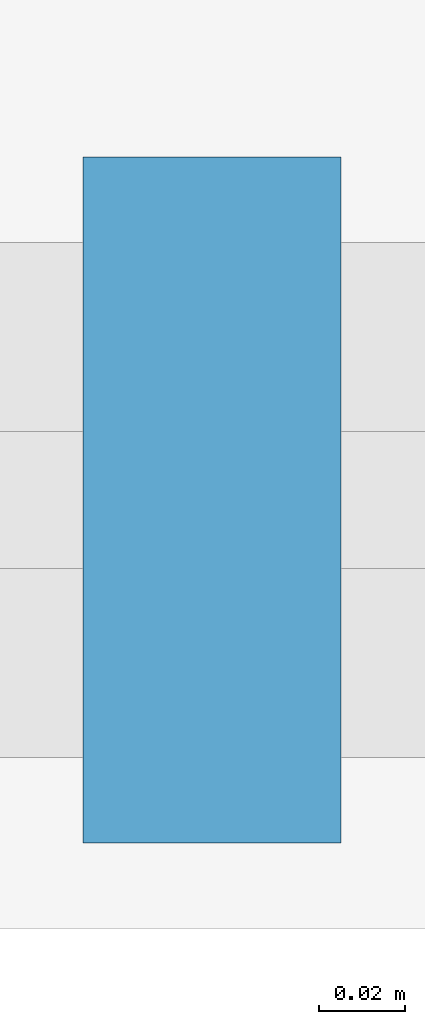
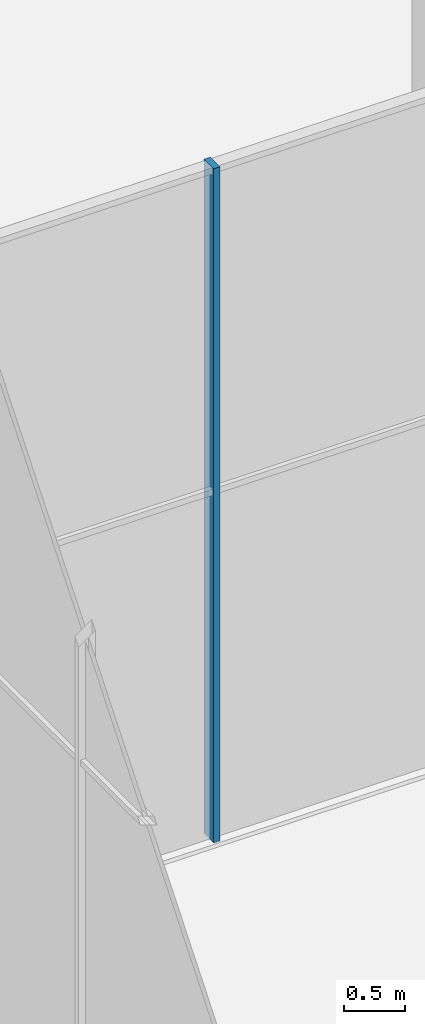
# One storey, part 7 of 43: 1 member, 1 element without a shape of its own.
"""IFC4 building model written with IfcOpenShell, lengths in metres."""

from ifc_helpers import new_model, si_unit, direction, frame, origin, origin_2d, place, context, subcontext, project, spatial, rectangle, extrude, material, material_profile, profile_set, type_object, element, aggregate, save


model = new_model("IFC4")

# Units and contexts
model_context = context("Model", 3, precision=1e-05, world=origin(), true_north=direction((0.0, 1.0)))
body_context = subcontext(model_context, "Body", "Model", "MODEL_VIEW")
ifc_project = project(units=[si_unit("LENGTHUNIT", "METRE"), si_unit("AREAUNIT", "SQUARE_METRE"), si_unit("VOLUMEUNIT", "CUBIC_METRE"), si_unit("PLANEANGLEUNIT", "RADIAN"), si_unit("MASSUNIT", "GRAM", prefix="KILO")], contexts=[model_context])

# Site, building, storey
site_placement = place(None, origin())
site = spatial("IfcSite", under=ifc_project, at=site_placement, CompositionType="ELEMENT")
building_placement = place(site_placement, origin())
building = spatial("IfcBuilding", under=site, at=building_placement, Name="Mizan Broadcast Tower", CompositionType="ELEMENT")
storey_placement = place(building_placement, origin())
storey = spatial("IfcBuildingStorey", under=building, at=storey_placement, Name="L00", CompositionType="ELEMENT", Elevation=0.0)

# Curtain wall, member
ifc_material_1 = material(Name="Aluminium framed glazing", Category="aluminium")
curtain_wall_type = type_object("IfcCurtainWallType", Name="PODIUM CURTAIN WALL", PredefinedType="USERDEFINED", material=ifc_material_1)
curtain_wall_placement = place(storey_placement, origin())
curtain_wall = element("IfcCurtainWall", 1, at=curtain_wall_placement, inside=storey, type_object=curtain_wall_type, Name="Podium curtain wall L00 E side", ObjectType="PODIUM CURTAIN WALL", PredefinedType="USERDEFINED")
ifc_material_2 = material(Name="Aluminium, pale anodised", Category="aluminium")
ifc_material_profile = material_profile(ifc_material_2, rectangle(XDim=0.159912109375, YDim=0.06005859375, at=origin_2d()), Name="MULLION 160x60")
ifc_profile_set = profile_set([ifc_material_profile], Name="Aluminium, pale anodised")
member_type = type_object("IfcMemberType", Name="INNER SKIN MULLION 60x160", PredefinedType="MULLION", material=ifc_profile_set)
member_placement = place(storey_placement, frame((15.7431640625, -12.89990234375, 0.0), z_axis=(0.0, 0.0, 1.0), x_axis=(0.0, 1.0, 0.0)))
member = element("IfcMember", 2, at=member_placement, type_object=member_type, Name="Podium curtain wall L00 E side mullion 2", PredefinedType="MULLION", context=body_context, shape_type="SweptSolid", body=[
    extrude(rectangle(XDim=0.159912109375, YDim=0.06005859375, at=origin_2d()), origin(), (0.0, 0.0, 1.0), 6.75),
])
aggregate(curtain_wall, [member])

save(model, "model.ifc")
